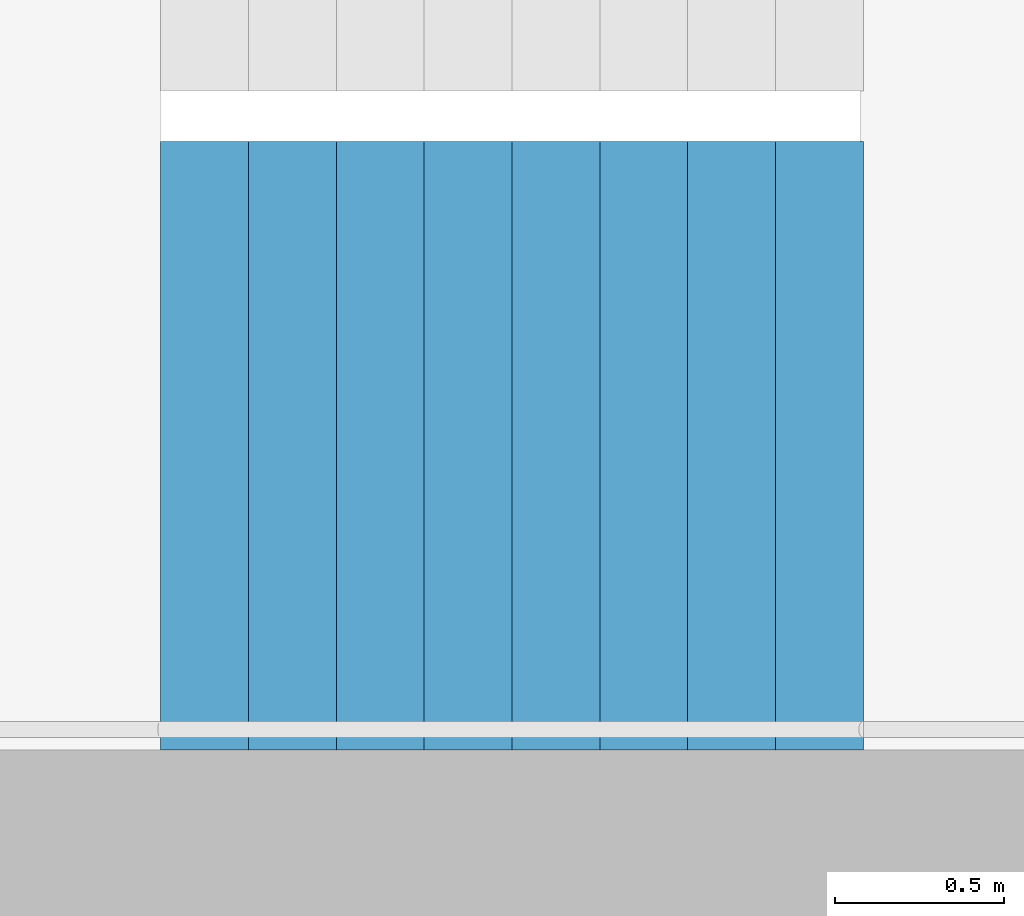
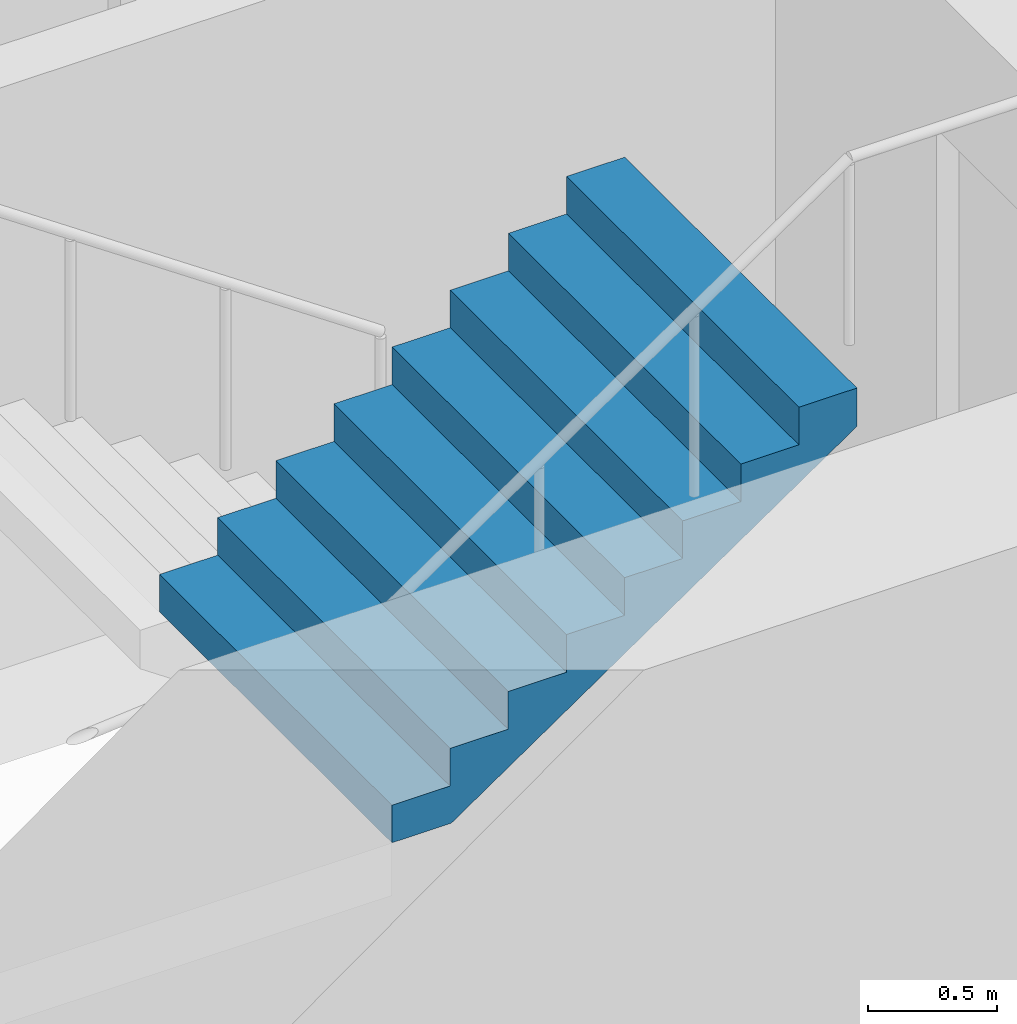
# One storey, part 18 of 26: 1 stair flight, 1 element without a shape of its own.
"""IFC4 building model written with IfcOpenShell, lengths in metres."""

from ifc_helpers import new_model, si_unit, direction, frame, origin, place, context, subcontext, project, spatial, triangles, material, type_object, element, aggregate, save


model = new_model("IFC4")

# Units and contexts
model_context = context("Model", 3, precision=1e-05, world=origin(), true_north=direction((0.0, 1.0)))
body_context = subcontext(model_context, "Body", "Model", "MODEL_VIEW")
ifc_project = project(units=[si_unit("LENGTHUNIT", "METRE"), si_unit("AREAUNIT", "SQUARE_METRE"), si_unit("VOLUMEUNIT", "CUBIC_METRE"), si_unit("PLANEANGLEUNIT", "RADIAN"), si_unit("MASSUNIT", "GRAM", prefix="KILO")], contexts=[model_context])

# Site, building, storey
site_placement = place(None, origin())
site = spatial("IfcSite", under=ifc_project, at=site_placement, CompositionType="ELEMENT")
building_placement = place(site_placement, origin())
building = spatial("IfcBuilding", under=site, at=building_placement, Name="Hakoniwa Tower and Hamabe Station Hall", CompositionType="ELEMENT")
storey_placement = place(building_placement, frame((0.0, 0.0, 169.39990234375)))
storey = spatial("IfcBuildingStorey", under=building, at=storey_placement, Name="L48", CompositionType="ELEMENT", Elevation=169.39990234375)

# Stair, stair flight
ifc_material_1 = material(Name="Concrete C40", Category="concrete")
stair_type = type_object("IfcStairType", Name="ESCAPE STAIR 1800", PredefinedType="HALF_TURN_STAIR", material=ifc_material_1)
stair_placement = place(storey_placement, origin())
stair = element("IfcStair", 1, at=stair_placement, inside=storey, type_object=stair_type, Name="Escape stair ST-2 L48", PredefinedType="HALF_TURN_STAIR")
ifc_material_2 = material(Name="Concrete C40", Category="concrete")
stair_flight_type = type_object("IfcStairFlightType", Name="STAIR FLIGHT 1800", PredefinedType="STRAIGHT", material=ifc_material_2)
stair_flight_placement = place(storey_placement, frame((-25.47998046875, -6.60009765625, 1.60009765625), z_axis=(0.0, 0.0, 1.0), x_axis=(1.0, 0.0, 0.0)))
stair_flight = element("IfcStairFlight", 2, at=stair_flight_placement, type_object=stair_flight_type, Name="ST-2 flight 2", NumberOfRisers=9, NumberOfTreads=8, PredefinedType="STRAIGHT", RiserHeight=0.177777778, TreadLength=0.26, context=body_context, shape_type="Tessellation", body=[
    triangles([(0.0, 0.89990234375, 0.0), (0.260009765625, 0.89990234375, 0.0), (0.265625, 0.89990234375, 0.0), (0.52001953125, 0.89990234375, 0.174072265625), (0.780029296875, 0.89990234375, 0.351806640625), (1.0400390625, 0.89990234375, 0.529541015625), (1.300048828125, 0.89990234375, 0.707275390625), (1.56005859375, 0.89990234375, 0.885009765625), (1.820068359375, 0.89990234375, 1.062744140625), (2.080078125, 0.89990234375, 1.24072265625), (2.080078125, 0.89990234375, 1.422119140625), (1.820068359375, 0.89990234375, 1.422119140625), (1.820068359375, 0.89990234375, 1.244384765625), (1.56005859375, 0.89990234375, 1.244384765625), (1.56005859375, 0.89990234375, 1.066650390625), (1.300048828125, 0.89990234375, 1.066650390625), (1.300048828125, 0.89990234375, 0.888916015625), (1.0400390625, 0.89990234375, 0.888916015625), (1.0400390625, 0.89990234375, 0.711181640625), (0.780029296875, 0.89990234375, 0.711181640625), (0.780029296875, 0.89990234375, 0.533447265625), (0.52001953125, 0.89990234375, 0.533447265625), (0.52001953125, 0.89990234375, 0.35546875), (0.265625, 0.89990234375, 0.35546875), (0.260009765625, 0.89990234375, 0.35546875), (0.260009765625, 0.89990234375, 0.177734375), (0.0, 0.89990234375, 0.177734375), (0.0, 0.06005859375, 0.0), (0.260009765625, 0.06005859375, 0.0), (0.265625, 0.06005859375, 0.0), (0.52001953125, 0.06005859375, 0.174072265625), (0.780029296875, 0.06005859375, 0.351806640625), (1.0400390625, 0.06005859375, 0.529541015625), (1.300048828125, 0.06005859375, 0.707275390625), (1.56005859375, 0.06005859375, 0.885009765625), (1.820068359375, 0.06005859375, 1.062744140625), (2.080078125, 0.06005859375, 1.24072265625), (2.080078125, 0.06005859375, 1.422119140625), (1.820068359375, 0.06005859375, 1.422119140625), (1.820068359375, 0.06005859375, 1.244384765625), (1.56005859375, 0.06005859375, 1.244384765625), (1.56005859375, 0.06005859375, 1.066650390625), (1.300048828125, 0.06005859375, 1.066650390625), (1.300048828125, 0.06005859375, 0.888916015625), (1.0400390625, 0.06005859375, 0.888916015625), (1.0400390625, 0.06005859375, 0.711181640625), (0.780029296875, 0.06005859375, 0.711181640625), (0.780029296875, 0.06005859375, 0.533447265625), (0.52001953125, 0.06005859375, 0.533447265625), (0.52001953125, 0.06005859375, 0.35546875), (0.265625, 0.06005859375, 0.35546875), (0.260009765625, 0.06005859375, 0.35546875), (0.260009765625, 0.06005859375, 0.177734375), (0.0, 0.06005859375, 0.177734375), (0.0, 0.04296875, 0.0), (0.260009765625, 0.04296875, 0.0), (0.265625, 0.04296875, 0.0), (0.52001953125, 0.04296875, 0.174072265625), (0.780029296875, 0.04296875, 0.351806640625), (1.0400390625, 0.04296875, 0.529541015625), (1.300048828125, 0.04296875, 0.707275390625), (1.56005859375, 0.04296875, 0.885009765625), (1.820068359375, 0.04296875, 1.062744140625), (2.080078125, 0.04296875, 1.24072265625), (2.080078125, 0.04296875, 1.422119140625), (1.820068359375, 0.04296875, 1.422119140625), (1.820068359375, 0.04296875, 1.244384765625), (1.56005859375, 0.04296875, 1.244384765625), (1.56005859375, 0.04296875, 1.066650390625), (1.300048828125, 0.04296875, 1.066650390625), (1.300048828125, 0.04296875, 0.888916015625), (1.0400390625, 0.04296875, 0.888916015625), (1.0400390625, 0.04296875, 0.711181640625), (0.780029296875, 0.04296875, 0.711181640625), (0.780029296875, 0.04296875, 0.533447265625), (0.52001953125, 0.04296875, 0.533447265625), (0.52001953125, 0.04296875, 0.35546875), (0.265625, 0.04296875, 0.35546875), (0.260009765625, 0.04296875, 0.35546875), (0.260009765625, 0.04296875, 0.177734375), (0.0, 0.04296875, 0.177734375), (0.0, 0.025634765625, 0.0), (0.260009765625, 0.025634765625, 0.0), (0.265625, 0.025634765625, 0.0), (0.52001953125, 0.025634765625, 0.174072265625), (0.780029296875, 0.025634765625, 0.351806640625), (1.0400390625, 0.025634765625, 0.529541015625), (1.300048828125, 0.025634765625, 0.707275390625), (1.56005859375, 0.025634765625, 0.885009765625), (1.820068359375, 0.025634765625, 1.062744140625), (2.080078125, 0.025634765625, 1.24072265625), (2.080078125, 0.025634765625, 1.422119140625), (1.820068359375, 0.025634765625, 1.422119140625), (1.820068359375, 0.025634765625, 1.244384765625), (1.56005859375, 0.025634765625, 1.244384765625), (1.56005859375, 0.025634765625, 1.066650390625), (1.300048828125, 0.025634765625, 1.066650390625), (1.300048828125, 0.025634765625, 0.888916015625), (1.0400390625, 0.025634765625, 0.888916015625), (1.0400390625, 0.025634765625, 0.711181640625), (0.780029296875, 0.025634765625, 0.711181640625), (0.780029296875, 0.025634765625, 0.533447265625), (0.52001953125, 0.025634765625, 0.533447265625), (0.52001953125, 0.025634765625, 0.35546875), (0.265625, 0.025634765625, 0.35546875), (0.260009765625, 0.025634765625, 0.35546875), (0.260009765625, 0.025634765625, 0.177734375), (0.0, 0.025634765625, 0.177734375), (0.0, 0.008544921875, 0.0), (0.260009765625, 0.008544921875, 0.0), (0.265625, 0.008544921875, 0.0), (0.52001953125, 0.008544921875, 0.174072265625), (0.780029296875, 0.008544921875, 0.351806640625), (1.0400390625, 0.008544921875, 0.529541015625), (1.300048828125, 0.008544921875, 0.707275390625), (1.56005859375, 0.008544921875, 0.885009765625), (1.820068359375, 0.008544921875, 1.062744140625), (2.080078125, 0.008544921875, 1.24072265625), (2.080078125, 0.008544921875, 1.422119140625), (1.820068359375, 0.008544921875, 1.422119140625), (1.820068359375, 0.008544921875, 1.244384765625), (1.56005859375, 0.008544921875, 1.244384765625), (1.56005859375, 0.008544921875, 1.066650390625), (1.300048828125, 0.008544921875, 1.066650390625), (1.300048828125, 0.008544921875, 0.888916015625), (1.0400390625, 0.008544921875, 0.888916015625), (1.0400390625, 0.008544921875, 0.711181640625), (0.780029296875, 0.008544921875, 0.711181640625), (0.780029296875, 0.008544921875, 0.533447265625), (0.52001953125, 0.008544921875, 0.533447265625), (0.52001953125, 0.008544921875, 0.35546875), (0.265625, 0.008544921875, 0.35546875), (0.260009765625, 0.008544921875, 0.35546875), (0.260009765625, 0.008544921875, 0.177734375), (0.0, 0.008544921875, 0.177734375), (0.0, -0.008544921875, 0.0), (0.260009765625, -0.008544921875, 0.0), (0.265625, -0.008544921875, 0.0), (0.52001953125, -0.008544921875, 0.174072265625), (0.780029296875, -0.008544921875, 0.351806640625), (1.0400390625, -0.008544921875, 0.529541015625), (1.300048828125, -0.008544921875, 0.707275390625), (1.56005859375, -0.008544921875, 0.885009765625), (1.820068359375, -0.008544921875, 1.062744140625), (2.080078125, -0.008544921875, 1.24072265625), (2.080078125, -0.008544921875, 1.422119140625), (1.820068359375, -0.008544921875, 1.422119140625), (1.820068359375, -0.008544921875, 1.244384765625), (1.56005859375, -0.008544921875, 1.244384765625), (1.56005859375, -0.008544921875, 1.066650390625), (1.300048828125, -0.008544921875, 1.066650390625), (1.300048828125, -0.008544921875, 0.888916015625), (1.0400390625, -0.008544921875, 0.888916015625), (1.0400390625, -0.008544921875, 0.711181640625), (0.780029296875, -0.008544921875, 0.711181640625), (0.780029296875, -0.008544921875, 0.533447265625), (0.52001953125, -0.008544921875, 0.533447265625), (0.52001953125, -0.008544921875, 0.35546875), (0.265625, -0.008544921875, 0.35546875), (0.260009765625, -0.008544921875, 0.35546875), (0.260009765625, -0.008544921875, 0.177734375), (0.0, -0.008544921875, 0.177734375), (0.0, -0.025634765625, 0.0), (0.260009765625, -0.025634765625, 0.0), (0.265625, -0.025634765625, 0.0), (0.52001953125, -0.025634765625, 0.174072265625), (0.780029296875, -0.025634765625, 0.351806640625), (1.0400390625, -0.025634765625, 0.529541015625), (1.300048828125, -0.025634765625, 0.707275390625), (1.56005859375, -0.025634765625, 0.885009765625), (1.820068359375, -0.025634765625, 1.062744140625), (2.080078125, -0.025634765625, 1.24072265625), (2.080078125, -0.025634765625, 1.422119140625), (1.820068359375, -0.025634765625, 1.422119140625), (1.820068359375, -0.025634765625, 1.244384765625), (1.56005859375, -0.025634765625, 1.244384765625), (1.56005859375, -0.025634765625, 1.066650390625), (1.300048828125, -0.025634765625, 1.066650390625), (1.300048828125, -0.025634765625, 0.888916015625), (1.0400390625, -0.025634765625, 0.888916015625), (1.0400390625, -0.025634765625, 0.711181640625), (0.780029296875, -0.025634765625, 0.711181640625), (0.780029296875, -0.025634765625, 0.533447265625), (0.52001953125, -0.025634765625, 0.533447265625), (0.52001953125, -0.025634765625, 0.35546875), (0.265625, -0.025634765625, 0.35546875), (0.260009765625, -0.025634765625, 0.35546875), (0.260009765625, -0.025634765625, 0.177734375), (0.0, -0.025634765625, 0.177734375), (0.0, -0.04296875, 0.0), (0.260009765625, -0.04296875, 0.0), (0.265625, -0.04296875, 0.0), (0.52001953125, -0.04296875, 0.174072265625), (0.780029296875, -0.04296875, 0.351806640625), (1.0400390625, -0.04296875, 0.529541015625), (1.300048828125, -0.04296875, 0.707275390625), (1.56005859375, -0.04296875, 0.885009765625), (1.820068359375, -0.04296875, 1.062744140625), (2.080078125, -0.04296875, 1.24072265625), (2.080078125, -0.04296875, 1.422119140625), (1.820068359375, -0.04296875, 1.422119140625), (1.820068359375, -0.04296875, 1.244384765625), (1.56005859375, -0.04296875, 1.244384765625), (1.56005859375, -0.04296875, 1.066650390625), (1.300048828125, -0.04296875, 1.066650390625), (1.300048828125, -0.04296875, 0.888916015625), (1.0400390625, -0.04296875, 0.888916015625), (1.0400390625, -0.04296875, 0.711181640625), (0.780029296875, -0.04296875, 0.711181640625), (0.780029296875, -0.04296875, 0.533447265625), (0.52001953125, -0.04296875, 0.533447265625), (0.52001953125, -0.04296875, 0.35546875), (0.265625, -0.04296875, 0.35546875), (0.260009765625, -0.04296875, 0.35546875), (0.260009765625, -0.04296875, 0.177734375), (0.0, -0.04296875, 0.177734375), (0.0, -0.06005859375, 0.0), (0.260009765625, -0.06005859375, 0.0), (0.265625, -0.06005859375, 0.0), (0.52001953125, -0.06005859375, 0.174072265625), (0.780029296875, -0.06005859375, 0.351806640625), (1.0400390625, -0.06005859375, 0.529541015625), (1.300048828125, -0.06005859375, 0.707275390625), (1.56005859375, -0.06005859375, 0.885009765625), (1.820068359375, -0.06005859375, 1.062744140625), (2.080078125, -0.06005859375, 1.24072265625), (2.080078125, -0.06005859375, 1.422119140625), (1.820068359375, -0.06005859375, 1.422119140625), (1.820068359375, -0.06005859375, 1.244384765625), (1.56005859375, -0.06005859375, 1.244384765625), (1.56005859375, -0.06005859375, 1.066650390625), (1.300048828125, -0.06005859375, 1.066650390625), (1.300048828125, -0.06005859375, 0.888916015625), (1.0400390625, -0.06005859375, 0.888916015625), (1.0400390625, -0.06005859375, 0.711181640625), (0.780029296875, -0.06005859375, 0.711181640625), (0.780029296875, -0.06005859375, 0.533447265625), (0.52001953125, -0.06005859375, 0.533447265625), (0.52001953125, -0.06005859375, 0.35546875), (0.265625, -0.06005859375, 0.35546875), (0.260009765625, -0.06005859375, 0.35546875), (0.260009765625, -0.06005859375, 0.177734375), (0.0, -0.06005859375, 0.177734375), (0.0, -0.89990234375, 0.0), (0.260009765625, -0.89990234375, 0.0), (0.265625, -0.89990234375, 0.0), (0.52001953125, -0.89990234375, 0.174072265625), (0.780029296875, -0.89990234375, 0.351806640625), (1.0400390625, -0.89990234375, 0.529541015625), (1.300048828125, -0.89990234375, 0.707275390625), (1.56005859375, -0.89990234375, 0.885009765625), (1.820068359375, -0.89990234375, 1.062744140625), (2.080078125, -0.89990234375, 1.24072265625), (2.080078125, -0.89990234375, 1.422119140625), (1.820068359375, -0.89990234375, 1.422119140625), (1.820068359375, -0.89990234375, 1.244384765625), (1.56005859375, -0.89990234375, 1.244384765625), (1.56005859375, -0.89990234375, 1.066650390625), (1.300048828125, -0.89990234375, 1.066650390625), (1.300048828125, -0.89990234375, 0.888916015625), (1.0400390625, -0.89990234375, 0.888916015625), (1.0400390625, -0.89990234375, 0.711181640625), (0.780029296875, -0.89990234375, 0.711181640625), (0.780029296875, -0.89990234375, 0.533447265625), (0.52001953125, -0.89990234375, 0.533447265625), (0.52001953125, -0.89990234375, 0.35546875), (0.265625, -0.89990234375, 0.35546875), (0.260009765625, -0.89990234375, 0.35546875), (0.260009765625, -0.89990234375, 0.177734375), (0.0, -0.89990234375, 0.177734375)], [[2, 27, 26], [245, 269, 270], [2, 1, 27], [245, 270, 244], [3, 25, 24], [246, 267, 268], [3, 26, 25], [246, 268, 269], [3, 2, 26], [246, 269, 245], [4, 24, 23], [247, 266, 267], [4, 3, 24], [247, 267, 246], [5, 22, 21], [248, 264, 265], [5, 23, 22], [248, 265, 266], [5, 4, 23], [248, 266, 247], [6, 20, 19], [249, 262, 263], [6, 21, 20], [249, 263, 264], [6, 5, 21], [249, 264, 248], [7, 18, 17], [250, 260, 261], [7, 19, 18], [250, 261, 262], [7, 6, 19], [250, 262, 249], [8, 16, 15], [251, 258, 259], [8, 17, 16], [251, 259, 260], [8, 7, 17], [251, 260, 250], [9, 14, 13], [252, 256, 257], [9, 15, 14], [252, 257, 258], [9, 8, 15], [252, 258, 251], [10, 12, 11], [253, 254, 255], [10, 13, 12], [253, 255, 256], [10, 9, 13], [253, 256, 252], [1, 2, 29], [1, 29, 28], [28, 29, 56], [28, 56, 55], [55, 56, 83], [55, 83, 82], [82, 83, 110], [82, 110, 109], [109, 110, 137], [109, 137, 136], [136, 137, 164], [136, 164, 163], [163, 164, 191], [163, 191, 190], [190, 191, 218], [190, 218, 217], [217, 218, 245], [217, 245, 244], [2, 3, 30], [2, 30, 29], [29, 30, 57], [29, 57, 56], [56, 57, 84], [56, 84, 83], [83, 84, 111], [83, 111, 110], [110, 111, 138], [110, 138, 137], [137, 138, 165], [137, 165, 164], [164, 165, 192], [164, 192, 191], [191, 192, 219], [191, 219, 218], [218, 219, 246], [218, 246, 245], [3, 4, 31], [3, 31, 30], [30, 31, 58], [30, 58, 57], [57, 58, 85], [57, 85, 84], [84, 85, 112], [84, 112, 111], [111, 112, 139], [111, 139, 138], [138, 139, 166], [138, 166, 165], [165, 166, 193], [165, 193, 192], [192, 193, 220], [192, 220, 219], [219, 220, 247], [219, 247, 246], [4, 5, 32], [4, 32, 31], [31, 32, 59], [31, 59, 58], [58, 59, 86], [58, 86, 85], [85, 86, 113], [85, 113, 112], [112, 113, 140], [112, 140, 139], [139, 140, 167], [139, 167, 166], [166, 167, 194], [166, 194, 193], [193, 194, 221], [193, 221, 220], [220, 221, 248], [220, 248, 247], [5, 6, 33], [5, 33, 32], [32, 33, 60], [32, 60, 59], [59, 60, 87], [59, 87, 86], [86, 87, 114], [86, 114, 113], [113, 114, 141], [113, 141, 140], [140, 141, 168], [140, 168, 167], [167, 168, 195], [167, 195, 194], [194, 195, 222], [194, 222, 221], [221, 222, 249], [221, 249, 248], [6, 7, 34], [6, 34, 33], [33, 34, 61], [33, 61, 60], [60, 61, 88], [60, 88, 87], [87, 88, 115], [87, 115, 114], [114, 115, 142], [114, 142, 141], [141, 142, 169], [141, 169, 168], [168, 169, 196], [168, 196, 195], [195, 196, 223], [195, 223, 222], [222, 223, 250], [222, 250, 249], [7, 8, 35], [7, 35, 34], [34, 35, 62], [34, 62, 61], [61, 62, 89], [61, 89, 88], [88, 89, 116], [88, 116, 115], [115, 116, 143], [115, 143, 142], [142, 143, 170], [142, 170, 169], [169, 170, 197], [169, 197, 196], [196, 197, 224], [196, 224, 223], [223, 224, 251], [223, 251, 250], [8, 9, 36], [8, 36, 35], [35, 36, 63], [35, 63, 62], [62, 63, 90], [62, 90, 89], [89, 90, 117], [89, 117, 116], [116, 117, 144], [116, 144, 143], [143, 144, 171], [143, 171, 170], [170, 171, 198], [170, 198, 197], [197, 198, 225], [197, 225, 224], [224, 225, 252], [224, 252, 251], [9, 10, 37], [9, 37, 36], [36, 37, 64], [36, 64, 63], [63, 64, 91], [63, 91, 90], [90, 91, 118], [90, 118, 117], [117, 118, 145], [117, 145, 144], [144, 145, 172], [144, 172, 171], [171, 172, 199], [171, 199, 198], [198, 199, 226], [198, 226, 225], [225, 226, 253], [225, 253, 252], [10, 11, 38], [10, 38, 37], [37, 38, 65], [37, 65, 64], [64, 65, 92], [64, 92, 91], [91, 92, 119], [91, 119, 118], [118, 119, 146], [118, 146, 145], [145, 146, 173], [145, 173, 172], [172, 173, 200], [172, 200, 199], [199, 200, 227], [199, 227, 226], [226, 227, 254], [226, 254, 253], [11, 12, 39], [11, 39, 38], [38, 39, 66], [38, 66, 65], [65, 66, 93], [65, 93, 92], [92, 93, 120], [92, 120, 119], [119, 120, 147], [119, 147, 146], [146, 147, 174], [146, 174, 173], [173, 174, 201], [173, 201, 200], [200, 201, 228], [200, 228, 227], [227, 228, 255], [227, 255, 254], [12, 13, 40], [12, 40, 39], [39, 40, 67], [39, 67, 66], [66, 67, 94], [66, 94, 93], [93, 94, 121], [93, 121, 120], [120, 121, 148], [120, 148, 147], [147, 148, 175], [147, 175, 174], [174, 175, 202], [174, 202, 201], [201, 202, 229], [201, 229, 228], [228, 229, 256], [228, 256, 255], [13, 14, 41], [13, 41, 40], [40, 41, 68], [40, 68, 67], [67, 68, 95], [67, 95, 94], [94, 95, 122], [94, 122, 121], [121, 122, 149], [121, 149, 148], [148, 149, 176], [148, 176, 175], [175, 176, 203], [175, 203, 202], [202, 203, 230], [202, 230, 229], [229, 230, 257], [229, 257, 256], [14, 15, 42], [14, 42, 41], [41, 42, 69], [41, 69, 68], [68, 69, 96], [68, 96, 95], [95, 96, 123], [95, 123, 122], [122, 123, 150], [122, 150, 149], [149, 150, 177], [149, 177, 176], [176, 177, 204], [176, 204, 203], [203, 204, 231], [203, 231, 230], [230, 231, 258], [230, 258, 257], [15, 16, 43], [15, 43, 42], [42, 43, 70], [42, 70, 69], [69, 70, 97], [69, 97, 96], [96, 97, 124], [96, 124, 123], [123, 124, 151], [123, 151, 150], [150, 151, 178], [150, 178, 177], [177, 178, 205], [177, 205, 204], [204, 205, 232], [204, 232, 231], [231, 232, 259], [231, 259, 258], [16, 17, 44], [16, 44, 43], [43, 44, 71], [43, 71, 70], [70, 71, 98], [70, 98, 97], [97, 98, 125], [97, 125, 124], [124, 125, 152], [124, 152, 151], [151, 152, 179], [151, 179, 178], [178, 179, 206], [178, 206, 205], [205, 206, 233], [205, 233, 232], [232, 233, 260], [232, 260, 259], [17, 18, 45], [17, 45, 44], [44, 45, 72], [44, 72, 71], [71, 72, 99], [71, 99, 98], [98, 99, 126], [98, 126, 125], [125, 126, 153], [125, 153, 152], [152, 153, 180], [152, 180, 179], [179, 180, 207], [179, 207, 206], [206, 207, 234], [206, 234, 233], [233, 234, 261], [233, 261, 260], [18, 19, 46], [18, 46, 45], [45, 46, 73], [45, 73, 72], [72, 73, 100], [72, 100, 99], [99, 100, 127], [99, 127, 126], [126, 127, 154], [126, 154, 153], [153, 154, 181], [153, 181, 180], [180, 181, 208], [180, 208, 207], [207, 208, 235], [207, 235, 234], [234, 235, 262], [234, 262, 261], [19, 20, 47], [19, 47, 46], [46, 47, 74], [46, 74, 73], [73, 74, 101], [73, 101, 100], [100, 101, 128], [100, 128, 127], [127, 128, 155], [127, 155, 154], [154, 155, 182], [154, 182, 181], [181, 182, 209], [181, 209, 208], [208, 209, 236], [208, 236, 235], [235, 236, 263], [235, 263, 262], [20, 21, 48], [20, 48, 47], [47, 48, 75], [47, 75, 74], [74, 75, 102], [74, 102, 101], [101, 102, 129], [101, 129, 128], [128, 129, 156], [128, 156, 155], [155, 156, 183], [155, 183, 182], [182, 183, 210], [182, 210, 209], [209, 210, 237], [209, 237, 236], [236, 237, 264], [236, 264, 263], [21, 22, 49], [21, 49, 48], [48, 49, 76], [48, 76, 75], [75, 76, 103], [75, 103, 102], [102, 103, 130], [102, 130, 129], [129, 130, 157], [129, 157, 156], [156, 157, 184], [156, 184, 183], [183, 184, 211], [183, 211, 210], [210, 211, 238], [210, 238, 237], [237, 238, 265], [237, 265, 264], [22, 23, 50], [22, 50, 49], [49, 50, 77], [49, 77, 76], [76, 77, 104], [76, 104, 103], [103, 104, 131], [103, 131, 130], [130, 131, 158], [130, 158, 157], [157, 158, 185], [157, 185, 184], [184, 185, 212], [184, 212, 211], [211, 212, 239], [211, 239, 238], [238, 239, 266], [238, 266, 265], [23, 24, 51], [23, 51, 50], [50, 51, 78], [50, 78, 77], [77, 78, 105], [77, 105, 104], [104, 105, 132], [104, 132, 131], [131, 132, 159], [131, 159, 158], [158, 159, 186], [158, 186, 185], [185, 186, 213], [185, 213, 212], [212, 213, 240], [212, 240, 239], [239, 240, 267], [239, 267, 266], [24, 25, 52], [24, 52, 51], [51, 52, 79], [51, 79, 78], [78, 79, 106], [78, 106, 105], [105, 106, 133], [105, 133, 132], [132, 133, 160], [132, 160, 159], [159, 160, 187], [159, 187, 186], [186, 187, 214], [186, 214, 213], [213, 214, 241], [213, 241, 240], [240, 241, 268], [240, 268, 267], [25, 26, 53], [25, 53, 52], [52, 53, 80], [52, 80, 79], [79, 80, 107], [79, 107, 106], [106, 107, 134], [106, 134, 133], [133, 134, 161], [133, 161, 160], [160, 161, 188], [160, 188, 187], [187, 188, 215], [187, 215, 214], [214, 215, 242], [214, 242, 241], [241, 242, 269], [241, 269, 268], [26, 27, 54], [26, 54, 53], [53, 54, 81], [53, 81, 80], [80, 81, 108], [80, 108, 107], [107, 108, 135], [107, 135, 134], [134, 135, 162], [134, 162, 161], [161, 162, 189], [161, 189, 188], [188, 189, 216], [188, 216, 215], [215, 216, 243], [215, 243, 242], [242, 243, 270], [242, 270, 269], [27, 1, 28], [27, 28, 54], [54, 28, 55], [54, 55, 81], [81, 55, 82], [81, 82, 108], [108, 82, 109], [108, 109, 135], [135, 109, 136], [135, 136, 162], [162, 136, 163], [162, 163, 189], [189, 163, 190], [189, 190, 216], [216, 190, 217], [216, 217, 243], [243, 217, 244], [243, 244, 270]], closed=True),
])
aggregate(stair, [stair_flight])

save(model, "model.ifc")
